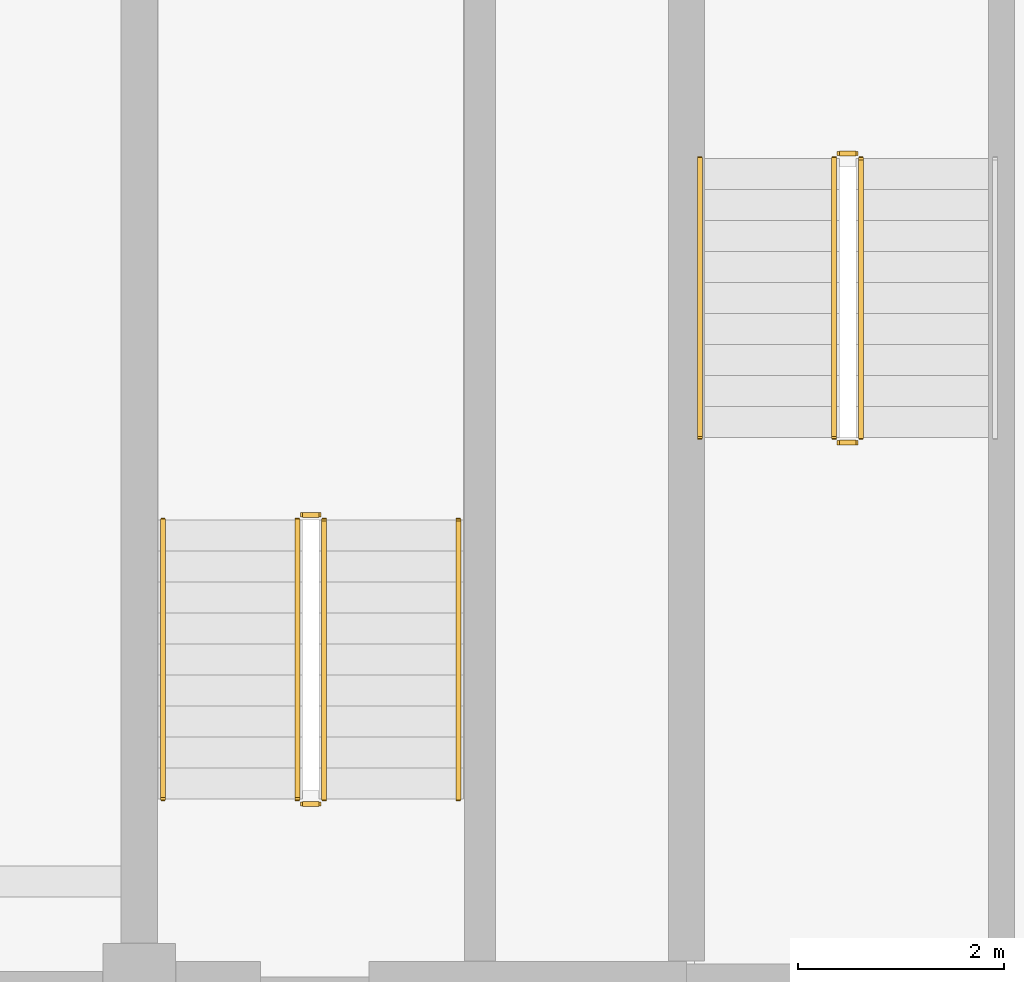
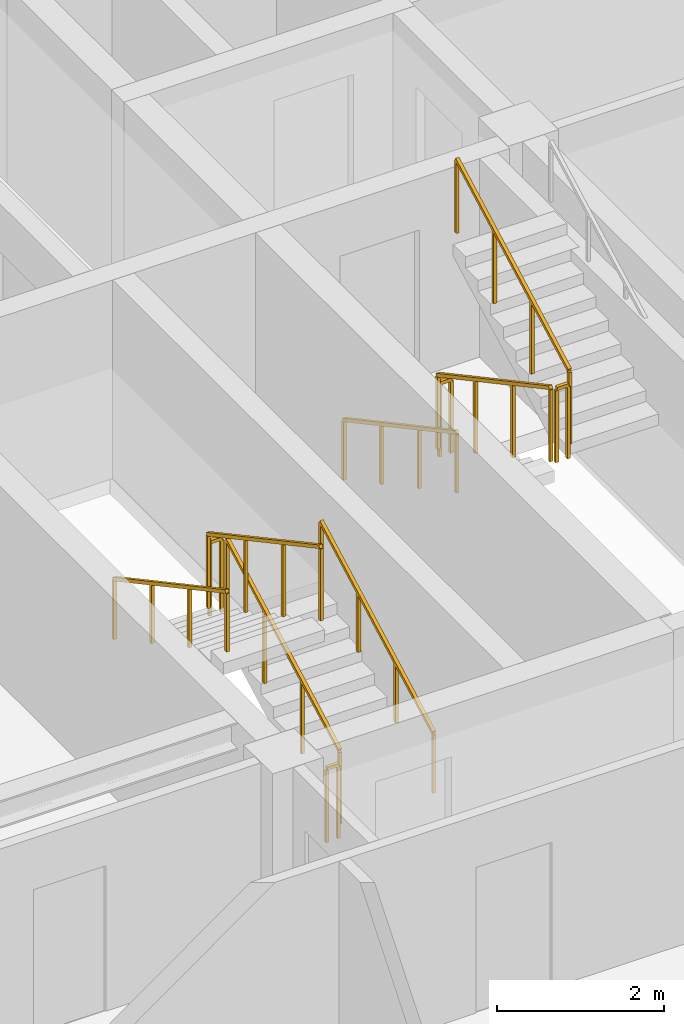
# One storey, part 7 of 10: 11 railings.
"""IFC4 building model written with IfcOpenShell, lengths in metres."""

from ifc_helpers import new_model, si_unit, direction, frame, origin, origin_2d, place, context, subcontext, project, spatial, rectangle, extrude, material, type_object, element, save


model = new_model("IFC4")

# Units and contexts
model_context = context("Model", 3, precision=1e-05, world=origin(), true_north=direction((0.0, 1.0)))
body_context = subcontext(model_context, "Body", "Model", "MODEL_VIEW")
ifc_project = project(units=[si_unit("LENGTHUNIT", "METRE"), si_unit("AREAUNIT", "SQUARE_METRE"), si_unit("VOLUMEUNIT", "CUBIC_METRE"), si_unit("PLANEANGLEUNIT", "RADIAN"), si_unit("MASSUNIT", "GRAM", prefix="KILO")], contexts=[model_context])

# Site, building, storey
site_placement = place(None, origin())
site = spatial("IfcSite", under=ifc_project, at=site_placement, CompositionType="ELEMENT")
building_placement = place(site_placement, origin())
building = spatial("IfcBuilding", under=site, at=building_placement, Name="Zulmaris Gate Convention Tower", CompositionType="ELEMENT")
storey_placement = place(building_placement, frame((0.0, 0.0, 267.35009765625)))
storey = spatial("IfcBuildingStorey", under=building, at=storey_placement, Name="L71", CompositionType="ELEMENT", Elevation=267.35009765625)

# Railings
ifc_material_1 = material(Name="Painted Galvanised Steel", Category="steel")
railing_type_1 = type_object("IfcRailingType", Name="RL-STG-1150", PredefinedType="GUARDRAIL", material=ifc_material_1)
railing_1_placement = place(storey_placement, frame((-13.27001953125, -2.0, 0.16162109375)))
element("IfcRailing", 1, at=railing_1_placement, inside=storey, type_object=railing_type_1, Name="L71 ST-1 stair guard 1", PredefinedType="GUARDRAIL", context=body_context, shape_type="SweptSolid", body=[
    extrude(rectangle(XDim=0.048095703125, YDim=0.048095703125, at=origin_2d()), frame((0.0, 0.0, 1.076171875), z_axis=(0.0, -0.880532452117, 0.47398586558), x_axis=(1.0, 0.0, 0.0)), (0.0, 0.0, 1.0), 3.066162109375),
    extrude(rectangle(XDim=0.0419921875, YDim=0.0419921875, at=origin_2d()), origin(), (0.0, 0.0, 1.0), 1.052001953125),
    extrude(rectangle(XDim=0.0419921875, YDim=0.0419921875, at=origin_2d()), frame((0.0, -0.89990234375, 0.484375)), (0.0, 0.0, 1.0), 1.052001953125),
    extrude(rectangle(XDim=0.0419921875, YDim=0.0419921875, at=origin_2d()), frame((0.0, -1.800048828125, 0.968994140625)), (0.0, 0.0, 1.0), 1.052001953125),
    extrude(rectangle(XDim=0.0419921875, YDim=0.0419921875, at=origin_2d()), frame((0.0, -2.699951171875, 1.453369140625)), (0.0, 0.0, 1.0), 1.052001953125),
])
railing_2_placement = place(storey_placement, frame((-13.219970703125, -4.75, 1.614990234375)))
element("IfcRailing", 2, at=railing_2_placement, inside=storey, type_object=railing_type_1, Name="L71 ST-1 stair guard 2", PredefinedType="GUARDRAIL", context=body_context, shape_type="SweptSolid", body=[
    extrude(rectangle(XDim=0.048095703125, YDim=0.048095703125, at=origin_2d()), frame((0.0, 0.0, 1.076171875), z_axis=(1.0, 0.0, 0.0), x_axis=(0.0, 1.0, 0.0)), (0.0, 0.0, 1.0), 0.159912109375),
    extrude(rectangle(XDim=0.0419921875, YDim=0.0419921875, at=origin_2d()), origin(), (0.0, 0.0, 1.0), 1.052001953125),
    extrude(rectangle(XDim=0.0419921875, YDim=0.0419921875, at=origin_2d()), frame((0.159912109375, 0.0, 0.0)), (0.0, 0.0, 1.0), 1.052001953125),
])
railing_3_placement = place(storey_placement, frame((-13.010009765625, -4.699951171875, 1.776611328125)))
element("IfcRailing", 3, at=railing_3_placement, inside=storey, type_object=railing_type_1, Name="L71 ST-1 stair guard 3", PredefinedType="GUARDRAIL", context=body_context, shape_type="SweptSolid", body=[
    extrude(rectangle(XDim=0.048095703125, YDim=0.048095703125, at=origin_2d()), frame((0.0, 0.0, 1.076171875), z_axis=(0.0, 0.880532452117, 0.47398586558), x_axis=(-1.0, 0.0, 0.0)), (0.0, 0.0, 1.0), 3.066162109375),
    extrude(rectangle(XDim=0.0419921875, YDim=0.0419921875, at=origin_2d()), origin(), (0.0, 0.0, 1.0), 1.052001953125),
    extrude(rectangle(XDim=0.0419921875, YDim=0.0419921875, at=origin_2d()), frame((0.0, 0.89990234375, 0.484375)), (0.0, 0.0, 1.0), 1.052001953125),
    extrude(rectangle(XDim=0.0419921875, YDim=0.0419921875, at=origin_2d()), frame((0.0, 1.800048828125, 0.968994140625)), (0.0, 0.0, 1.0), 1.052001953125),
    extrude(rectangle(XDim=0.0419921875, YDim=0.0419921875, at=origin_2d()), frame((0.0, 2.699951171875, 1.453369140625)), (0.0, 0.0, 1.0), 1.052001953125),
])
railing_4_placement = place(storey_placement, frame((-13.219970703125, -1.949951171875, 0.0)))
element("IfcRailing", 4, at=railing_4_placement, inside=storey, type_object=railing_type_1, Name="L71 ST-1 stair guard 4", PredefinedType="GUARDRAIL", context=body_context, shape_type="SweptSolid", body=[
    extrude(rectangle(XDim=0.048095703125, YDim=0.048095703125, at=origin_2d()), frame((0.0, 0.0, 1.076171875), z_axis=(1.0, 0.0, 0.0), x_axis=(0.0, 1.0, 0.0)), (0.0, 0.0, 1.0), 0.159912109375),
    extrude(rectangle(XDim=0.0419921875, YDim=0.0419921875, at=origin_2d()), origin(), (0.0, 0.0, 1.0), 1.052001953125),
    extrude(rectangle(XDim=0.0419921875, YDim=0.0419921875, at=origin_2d()), frame((0.159912109375, 0.0, 0.0)), (0.0, 0.0, 1.0), 1.052001953125),
])
railing_5_placement = place(storey_placement, frame((-18.2099609375, -8.199951171875, 0.16162109375)))
element("IfcRailing", 5, at=railing_5_placement, inside=storey, type_object=railing_type_1, Name="L71 ST-3 stair guard 1", PredefinedType="GUARDRAIL", context=body_context, shape_type="SweptSolid", body=[
    extrude(rectangle(XDim=0.048095703125, YDim=0.048095703125, at=origin_2d()), frame((0.0, 0.0, 1.076171875), z_axis=(0.0, 0.880532452117, 0.47398586558), x_axis=(-1.0, 0.0, 0.0)), (0.0, 0.0, 1.0), 3.066162109375),
    extrude(rectangle(XDim=0.0419921875, YDim=0.0419921875, at=origin_2d()), origin(), (0.0, 0.0, 1.0), 1.052001953125),
    extrude(rectangle(XDim=0.0419921875, YDim=0.0419921875, at=origin_2d()), frame((0.0, 0.89990234375, 0.484375)), (0.0, 0.0, 1.0), 1.052001953125),
    extrude(rectangle(XDim=0.0419921875, YDim=0.0419921875, at=origin_2d()), frame((0.0, 1.800048828125, 0.968994140625)), (0.0, 0.0, 1.0), 1.052001953125),
    extrude(rectangle(XDim=0.0419921875, YDim=0.0419921875, at=origin_2d()), frame((0.0, 2.699951171875, 1.453369140625)), (0.0, 0.0, 1.0), 1.052001953125),
])
railing_6_placement = place(storey_placement, frame((-18.260009765625, -5.449951171875, 1.614990234375)))
element("IfcRailing", 6, at=railing_6_placement, inside=storey, type_object=railing_type_1, Name="L71 ST-3 stair guard 2", PredefinedType="GUARDRAIL", context=body_context, shape_type="SweptSolid", body=[
    extrude(rectangle(XDim=0.048095703125, YDim=0.048095703125, at=origin_2d()), frame((0.0, 0.0, 1.076171875), z_axis=(-1.0, 0.0, 0.0), x_axis=(0.0, -1.0, 0.0)), (0.0, 0.0, 1.0), 0.159912109375),
    extrude(rectangle(XDim=0.0419921875, YDim=0.0419921875, at=origin_2d()), origin(), (0.0, 0.0, 1.0), 1.052001953125),
    extrude(rectangle(XDim=0.0419921875, YDim=0.0419921875, at=origin_2d()), frame((-0.159912109375, 0.0, 0.0)), (0.0, 0.0, 1.0), 1.052001953125),
])
railing_7_placement = place(storey_placement, frame((-18.469970703125, -5.5, 1.776611328125)))
element("IfcRailing", 7, at=railing_7_placement, inside=storey, type_object=railing_type_1, Name="L71 ST-3 stair guard 3", PredefinedType="GUARDRAIL", context=body_context, shape_type="SweptSolid", body=[
    extrude(rectangle(XDim=0.048095703125, YDim=0.048095703125, at=origin_2d()), frame((0.0, 0.0, 1.076171875), z_axis=(0.0, -0.880532452117, 0.47398586558), x_axis=(1.0, 0.0, 0.0)), (0.0, 0.0, 1.0), 3.066162109375),
    extrude(rectangle(XDim=0.0419921875, YDim=0.0419921875, at=origin_2d()), origin(), (0.0, 0.0, 1.0), 1.052001953125),
    extrude(rectangle(XDim=0.0419921875, YDim=0.0419921875, at=origin_2d()), frame((0.0, -0.89990234375, 0.484375)), (0.0, 0.0, 1.0), 1.052001953125),
    extrude(rectangle(XDim=0.0419921875, YDim=0.0419921875, at=origin_2d()), frame((0.0, -1.800048828125, 0.968994140625)), (0.0, 0.0, 1.0), 1.052001953125),
    extrude(rectangle(XDim=0.0419921875, YDim=0.0419921875, at=origin_2d()), frame((0.0, -2.699951171875, 1.453369140625)), (0.0, 0.0, 1.0), 1.052001953125),
])
railing_8_placement = place(storey_placement, frame((-18.260009765625, -8.25, 0.0)))
element("IfcRailing", 8, at=railing_8_placement, inside=storey, type_object=railing_type_1, Name="L71 ST-3 stair guard 4", PredefinedType="GUARDRAIL", context=body_context, shape_type="SweptSolid", body=[
    extrude(rectangle(XDim=0.048095703125, YDim=0.048095703125, at=origin_2d()), frame((0.0, 0.0, 1.076171875), z_axis=(-1.0, 0.0, 0.0), x_axis=(0.0, -1.0, 0.0)), (0.0, 0.0, 1.0), 0.159912109375),
    extrude(rectangle(XDim=0.0419921875, YDim=0.0419921875, at=origin_2d()), origin(), (0.0, 0.0, 1.0), 1.052001953125),
    extrude(rectangle(XDim=0.0419921875, YDim=0.0419921875, at=origin_2d()), frame((-0.159912109375, 0.0, 0.0)), (0.0, 0.0, 1.0), 1.052001953125),
])
ifc_material_2 = material(Name="Brushed Stainless Steel", Category="steel")
railing_type_2 = type_object("IfcRailingType", Name="RL-STH-900", PredefinedType="HANDRAIL", material=ifc_material_2)
railing_9_placement = place(storey_placement, frame((-14.570068359375, -2.0, 0.16162109375)))
element("IfcRailing", 9, at=railing_9_placement, inside=storey, type_object=railing_type_2, Name="L71 ST-1 stair handrail 1", PredefinedType="HANDRAIL", context=body_context, shape_type="SweptSolid", body=[
    extrude(rectangle(XDim=0.048095703125, YDim=0.048095703125, at=origin_2d()), frame((0.0, 0.0, 0.8759765625), z_axis=(0.0, -0.880532452117, 0.47398586558), x_axis=(1.0, 0.0, 0.0)), (0.0, 0.0, 1.0), 3.066162109375),
    extrude(rectangle(XDim=0.0419921875, YDim=0.0419921875, at=origin_2d()), origin(), (0.0, 0.0, 1.0), 0.851806640625),
    extrude(rectangle(XDim=0.0419921875, YDim=0.0419921875, at=origin_2d()), frame((0.0, -0.89990234375, 0.484375)), (0.0, 0.0, 1.0), 0.851806640625),
    extrude(rectangle(XDim=0.0419921875, YDim=0.0419921875, at=origin_2d()), frame((0.0, -1.800048828125, 0.968994140625)), (0.0, 0.0, 1.0), 0.851806640625),
    extrude(rectangle(XDim=0.0419921875, YDim=0.0419921875, at=origin_2d()), frame((0.0, -2.699951171875, 1.453369140625)), (0.0, 0.0, 1.0), 0.851806640625),
])
railing_10_placement = place(storey_placement, frame((-16.909912109375, -8.199951171875, 0.16162109375)))
element("IfcRailing", 10, at=railing_10_placement, inside=storey, type_object=railing_type_2, Name="L71 ST-3 stair handrail 1", PredefinedType="HANDRAIL", context=body_context, shape_type="SweptSolid", body=[
    extrude(rectangle(XDim=0.048095703125, YDim=0.048095703125, at=origin_2d()), frame((0.0, 0.0, 0.8759765625), z_axis=(0.0, 0.880532452117, 0.47398586558), x_axis=(-1.0, 0.0, 0.0)), (0.0, 0.0, 1.0), 3.066162109375),
    extrude(rectangle(XDim=0.0419921875, YDim=0.0419921875, at=origin_2d()), origin(), (0.0, 0.0, 1.0), 0.851806640625),
    extrude(rectangle(XDim=0.0419921875, YDim=0.0419921875, at=origin_2d()), frame((0.0, 0.89990234375, 0.484375)), (0.0, 0.0, 1.0), 0.851806640625),
    extrude(rectangle(XDim=0.0419921875, YDim=0.0419921875, at=origin_2d()), frame((0.0, 1.800048828125, 0.968994140625)), (0.0, 0.0, 1.0), 0.851806640625),
    extrude(rectangle(XDim=0.0419921875, YDim=0.0419921875, at=origin_2d()), frame((0.0, 2.699951171875, 1.453369140625)), (0.0, 0.0, 1.0), 0.851806640625),
])
railing_11_placement = place(storey_placement, frame((-19.77001953125, -5.5, 1.776611328125)))
element("IfcRailing", 11, at=railing_11_placement, inside=storey, type_object=railing_type_2, Name="L71 ST-3 stair handrail 2", PredefinedType="HANDRAIL", context=body_context, shape_type="SweptSolid", body=[
    extrude(rectangle(XDim=0.048095703125, YDim=0.048095703125, at=origin_2d()), frame((0.0, 0.0, 0.8759765625), z_axis=(0.0, -0.880532452117, 0.47398586558), x_axis=(1.0, 0.0, 0.0)), (0.0, 0.0, 1.0), 3.066162109375),
    extrude(rectangle(XDim=0.0419921875, YDim=0.0419921875, at=origin_2d()), origin(), (0.0, 0.0, 1.0), 0.851806640625),
    extrude(rectangle(XDim=0.0419921875, YDim=0.0419921875, at=origin_2d()), frame((0.0, -0.89990234375, 0.484375)), (0.0, 0.0, 1.0), 0.851806640625),
    extrude(rectangle(XDim=0.0419921875, YDim=0.0419921875, at=origin_2d()), frame((0.0, -1.800048828125, 0.968994140625)), (0.0, 0.0, 1.0), 0.851806640625),
    extrude(rectangle(XDim=0.0419921875, YDim=0.0419921875, at=origin_2d()), frame((0.0, -2.699951171875, 1.453369140625)), (0.0, 0.0, 1.0), 0.851806640625),
])

save(model, "model.ifc")
